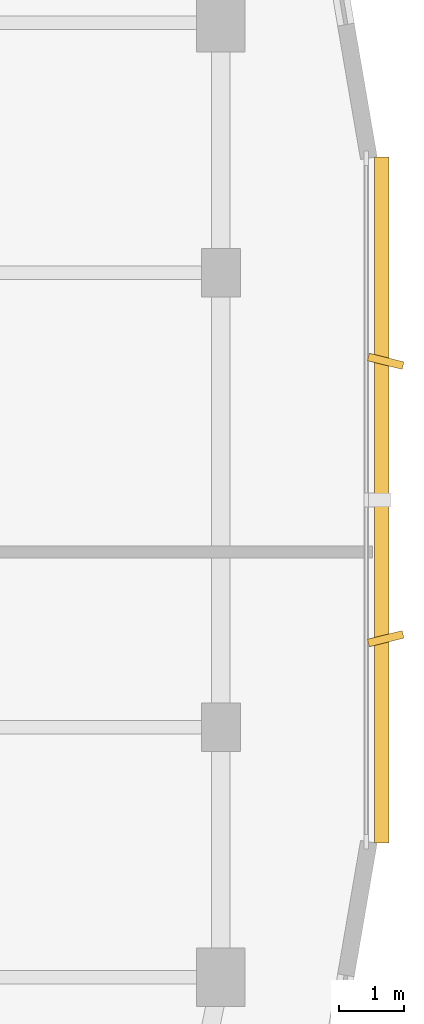
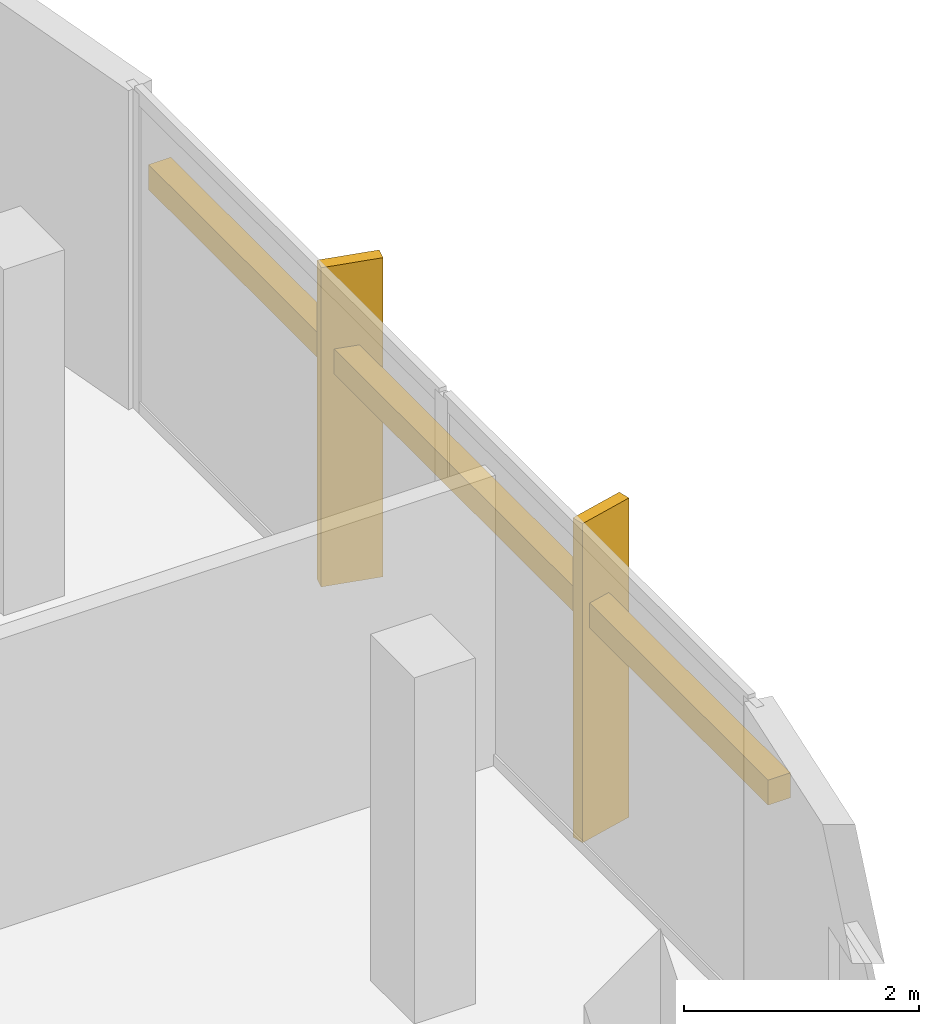
# One storey, part 8 of 8: 3 shading devices.
"""IFC4 building model written with IfcOpenShell, lengths in metres."""

from ifc_helpers import new_model, si_unit, derived_unit, direction, frame, origin, origin_2d, place, context, subcontext, project, spatial, rectangle, extrude, material, type_object, element, save


model = new_model("IFC4")

# Units and contexts
model_context = context("Model", 3, precision=1e-05, world=origin(), true_north=direction((0.0, 1.0)))
body_context = subcontext(model_context, "Body", "Model", "MODEL_VIEW")
ifc_project = project(units=[si_unit("LENGTHUNIT", "METRE"), si_unit("AREAUNIT", "SQUARE_METRE"), si_unit("VOLUMEUNIT", "CUBIC_METRE"), si_unit("PLANEANGLEUNIT", "RADIAN"), si_unit("MASSUNIT", "GRAM", prefix="KILO"), derived_unit("THERMALTRANSMITTANCEUNIT", [(si_unit("POWERUNIT", "WATT"), 1), (si_unit("LENGTHUNIT", "METRE"), -2), (si_unit("THERMODYNAMICTEMPERATUREUNIT", "KELVIN"), -1)])], contexts=[model_context])

# Site, building, storey
site_placement = place(None, origin())
site = spatial("IfcSite", under=ifc_project, at=site_placement, CompositionType="ELEMENT")
building_placement = place(site_placement, origin())
building = spatial("IfcBuilding", under=site, at=building_placement, Name="Kivonza Crest Hotel", CompositionType="ELEMENT")
storey_placement = place(building_placement, frame((0.0, 0.0, 257.60009765625)))
storey = spatial("IfcBuildingStorey", under=building, at=storey_placement, Name="L70", CompositionType="ELEMENT", Elevation=257.60009765625)

# Shading devices
ifc_material_1 = material(Name="Kiln-fired Nairobi red-ochre terracotta", Category="masonry")
shading_device_type_1 = type_object("IfcShadingDeviceType", Name="SH-BAGUETTE-300", PredefinedType="USERDEFINED", material=ifc_material_1)
shading_device_placement = place(storey_placement, frame((38.280029296875, 25.0, 2.19384765625), z_axis=(0.0, 0.0, 1.0), x_axis=(0.0, 1.0, 0.0)))
element("IfcShadingDevice", 1, at=shading_device_placement, inside=storey, type_object=shading_device_type_1, Name="L70 terracotta baguette screen CW-T1-L70-17", ObjectType="BAGUETTE", PredefinedType="USERDEFINED", context=body_context, shape_type="SweptSolid", body=[
    extrude(rectangle(XDim=10.56005859375, YDim=0.219970703125, at=origin_2d()), origin(), (0.0, 0.0, 1.0), 0.260009765625),
])
ifc_material_2 = material(Name="Kiln-fired terracotta over extruded aluminium spine", Category="masonry")
shading_device_type_2 = type_object("IfcShadingDeviceType", Name="SH-FIN-550", PredefinedType="USERDEFINED", material=ifc_material_2)
for number, where, z_axis, x_axis, name in (
    (2, (38.340087890625, 22.864013671875, 0.0), (0.0, 0.0, 1.0), (-0.2419218956, 0.970295726276, 0.0), "L70 vertical solar shading fin CW-T1-L70-17-1"),
    (3, (38.340087890625, 27.135986328125, 0.0), (0.0, 0.0, 1.0), (0.2419218956, 0.970295726276, 0.0), "L70 vertical solar shading fin CW-T1-L70-17-2"),
):
    element("IfcShadingDevice", number, at=place(storey_placement, frame(where, z_axis=z_axis, x_axis=x_axis)), inside=storey, type_object=shading_device_type_2, Name=name, ObjectType="FIN", PredefinedType="USERDEFINED", context=body_context, shape_type="SweptSolid", body=[
        extrude(rectangle(XDim=0.1201171875, YDim=0.550048828125, at=origin_2d()), origin(), (0.0, 0.0, 1.0), 3.320068359375),
    ])

save(model, "model.ifc")
